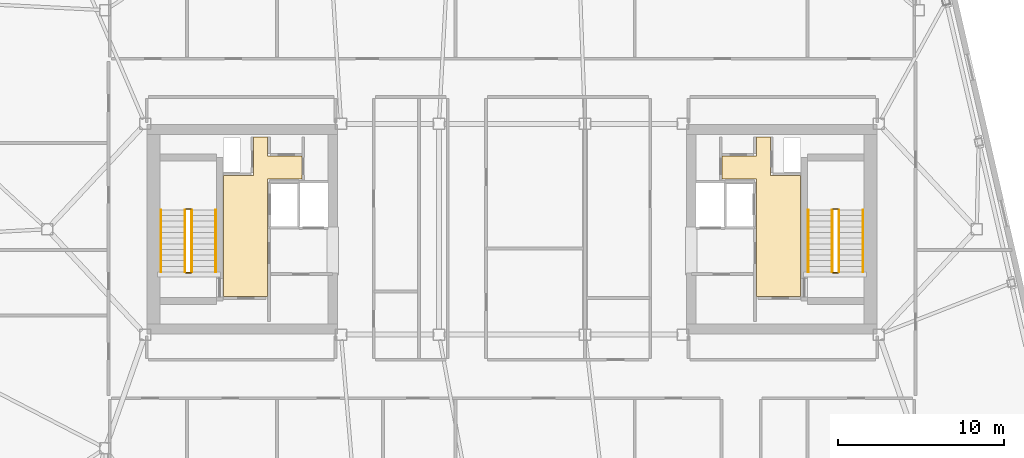
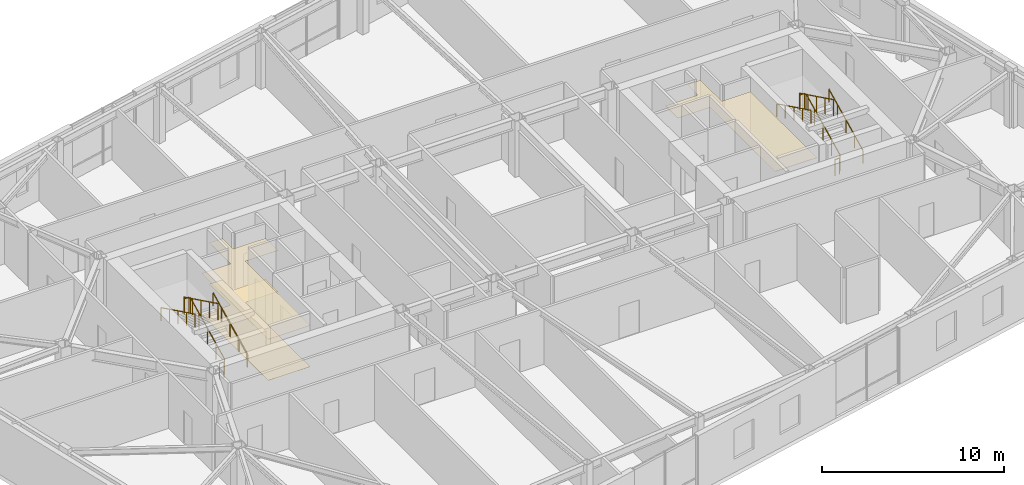
# One storey, part 23 of 23: 12 railings, 3 coverings.
"""IFC4 building model written with IfcOpenShell, lengths in metres."""

import ifcopenshell
import ifcopenshell.guid

model = None  # the IFC model being written
_history = None  # IfcOwnerHistory: only IFC2X3 demands one
_inside = {}  # id of a spatial element -> (the spatial element, [elements in it])
_under = {}  # id of a project, library or spatial element -> (it, [spatial elements below it])
_declared = {}  # id of a project -> (the project, [libraries it declares])
_typed = {}  # id of a type object -> (the type object, [elements of that type])
_made_of = {}  # id of a material, layer set ... -> (it, [elements and type objects made of it])


def new_model(schema):
    """Start an empty IFC model of exactly this schema.

    Asked for "IFC4X3", IfcOpenShell would pick the latest addendum, in which some entities
    have other attributes; the version numbers below select the first issue.
    IFC2X3 requires an IfcOwnerHistory on every rooted entity: one is made here for all.
    """
    global model, _history
    if schema == "IFC4X3":
        model = ifcopenshell.file(schema_version=(4, 3, 0, 0))
    else:
        model = ifcopenshell.file(schema=schema)
    _inside.clear()
    _under.clear()
    _declared.clear()
    _typed.clear()
    _made_of.clear()
    _history = None
    if model.schema == "IFC2X3":
        org = make("IfcOrganization", Name="unknown")
        user = make(
            "IfcPersonAndOrganization",
            ThePerson=make("IfcPerson", FamilyName="unknown"),
            TheOrganization=org,
        )
        app = make(
            "IfcApplication",
            ApplicationDeveloper=org,
            Version="unknown",
            ApplicationFullName="unknown",
            ApplicationIdentifier="unknown",
        )
        _history = make(
            "IfcOwnerHistory",
            OwningUser=user,
            OwningApplication=app,
            ChangeAction="ADDED",
            CreationDate=0,
        )
    return model


def make(cls, **values):
    """One entity of the class cls with the attributes given. An attribute that is None is left unset."""
    return model.create_entity(
        cls, **{name: value for name, value in values.items() if value is not None}
    )


def rooted(cls, **values):
    """An entity with a GlobalId (a new one), such as an element, a storey or a relation."""
    return make(cls, GlobalId=ifcopenshell.guid.new(), OwnerHistory=_history, **values)


def si_unit(unit_type, name, prefix=None):
    """IfcSIUnit, for example si_unit("LENGTHUNIT", "METRE", prefix="MILLI")."""
    return make("IfcSIUnit", UnitType=unit_type, Prefix=prefix, Name=name)


def assignment(units):
    """IfcUnitAssignment: the units of a project."""
    return None if units is None else make("IfcUnitAssignment", Units=units)


def point(xyz):
    """IfcCartesianPoint."""
    return None if xyz is None else make("IfcCartesianPoint", Coordinates=xyz)


def direction(xyz):
    """IfcDirection."""
    return None if xyz is None else make("IfcDirection", DirectionRatios=xyz)


def frame(location, z_axis=None, x_axis=None):
    """IfcAxis2Placement3D, a coordinate frame: its origin and axes. An axis left out is left unset."""
    return make(
        "IfcAxis2Placement3D",
        Location=point(location),
        Axis=direction(z_axis),
        RefDirection=direction(x_axis),
    )


def frame_2d(location, x_axis=None):
    """IfcAxis2Placement2D, a coordinate frame in the plane: its origin and x axis."""
    return make(
        "IfcAxis2Placement2D", Location=point(location), RefDirection=direction(x_axis)
    )


def origin():
    """The frame at (0, 0, 0) with its axes left unset."""
    return frame((0.0, 0.0, 0.0))


def origin_2d():
    """The frame at (0, 0) in the plane with its x axis left unset."""
    return frame_2d((0.0, 0.0))


def place(relative_to, where):
    """IfcLocalPlacement: puts the frame where relative to a parent placement (None: the world)."""
    return make(
        "IfcLocalPlacement", PlacementRelTo=relative_to, RelativePlacement=where
    )


def context(
    kind, dimensions, precision=None, world=None, true_north=None, identifier=None
):
    """IfcGeometricRepresentationContext, for example the 3D "Model" context."""
    return make(
        "IfcGeometricRepresentationContext",
        ContextIdentifier=identifier,
        ContextType=kind,
        CoordinateSpaceDimension=dimensions,
        Precision=precision,
        WorldCoordinateSystem=world,
        TrueNorth=true_north,
    )


def subcontext(parent, identifier, kind, view, scale=None):
    """IfcGeometricRepresentationSubContext, for example "Body" below "Model"."""
    return make(
        "IfcGeometricRepresentationSubContext",
        ContextIdentifier=identifier,
        ContextType=kind,
        ParentContext=parent,
        TargetScale=scale,
        TargetView=view,
    )


def project(units=None, contexts=None):
    """IfcProject with its units and contexts."""
    return rooted(
        "IfcProject",
        Name="project",
        RepresentationContexts=contexts,
        UnitsInContext=assignment(units),
    )


def spatial(cls, under=None, at=None, **own):
    """A site, building, storey or space (cls), placed at a placement, below another one or the project."""
    s = rooted(cls, ObjectPlacement=at, **own)
    if under is not None:
        _under.setdefault(under.id(), (under, []))[1].append(s)
    return s


def polyline(points):
    """IfcPolyline through the points."""
    return make("IfcPolyline", Points=[point(p) for p in points])


def profile(cls, at=None, kind="AREA", **sizes):
    """A parametric profile (cls). Its sizes go by their IFC names, for example OverallWidth=200.0."""
    return make(cls, ProfileType=kind, Position=at, **sizes)


def rectangle(**sizes):
    """IfcRectangleProfileDef."""
    return profile("IfcRectangleProfileDef", **sizes)


def outline(outer, holes=None, kind="AREA"):
    """IfcArbitraryClosedProfileDef: a profile drawn as a closed curve; with holes, ...WithVoids."""
    if holes is None:
        return make("IfcArbitraryClosedProfileDef", ProfileType=kind, OuterCurve=outer)
    return make(
        "IfcArbitraryProfileDefWithVoids",
        ProfileType=kind,
        OuterCurve=outer,
        InnerCurves=holes,
    )


def extrude(swept, where, along, depth):
    """IfcExtrudedAreaSolid: the profile swept, set in the frame where, extruded along a direction by depth."""
    return make(
        "IfcExtrudedAreaSolid",
        SweptArea=swept,
        Position=where,
        ExtrudedDirection=direction(along),
        Depth=depth,
    )


def shape(context_of_items, identifier, shape_type, items):
    """IfcShapeRepresentation: the items that make up one representation, for example the "Body"."""
    return make(
        "IfcShapeRepresentation",
        ContextOfItems=context_of_items,
        RepresentationIdentifier=identifier,
        RepresentationType=shape_type,
        Items=items,
    )


def material(Name=None, Category=None):
    """IfcMaterial."""
    return make("IfcMaterial", Name=Name, Category=Category)


def layer(
    of_material, thickness, ventilated=None, Name=None, Category=None, Priority=None
):
    """IfcMaterialLayer: one layer of a wall or slab, of a material (None: an air gap)."""
    return make(
        "IfcMaterialLayer",
        Material=of_material,
        LayerThickness=thickness,
        IsVentilated=ventilated,
        Name=Name,
        Category=Category,
        Priority=Priority,
    )


def layer_set(layers, Name=None):
    """IfcMaterialLayerSet."""
    return make("IfcMaterialLayerSet", MaterialLayers=layers, LayerSetName=Name)


def made_of(thing, what):
    """Note that an element or type object is made of a material, layer set ...; save() writes the relation."""
    if what is not None:
        _made_of.setdefault(what.id(), (what, []))[1].append(thing)
    return thing


def type_object(cls, material=None, **own):
    """A type object (cls), such as IfcWallType, which elements share."""
    return made_of(rooted(cls, **own), material)


def element(
    cls,
    number,
    at=None,
    inside=None,
    cuts=None,
    type_object=None,
    material=None,
    context=None,
    identifier="Body",
    shape_type=None,
    held_by="IfcProductDefinitionShape",
    body=None,
    shapes=None,
    **own,
):
    """One element of the class cls, such as IfcWall. Its Tag is "e" and its number.

    at: its placement. inside: the storey or other place that contains it. cuts: it is an
    opening in that element (IfcRelVoidsElement). A single representation is given by context,
    identifier, shape_type and body (its items); several are given by shapes. held_by: the class
    of the entity that holds the representations. save() writes the other relations.
    """
    e = rooted(cls, Tag="e%d" % number, ObjectPlacement=at, **own)
    if body is not None:
        shapes = [shape(context, identifier, shape_type, body)]
    if shapes is not None:
        e.Representation = make(held_by, Representations=shapes)
    if inside is not None:
        _inside.setdefault(inside.id(), (inside, []))[1].append(e)
    if cuts is not None:
        rooted(
            "IfcRelVoidsElement", RelatingBuildingElement=cuts, RelatedOpeningElement=e
        )
    if type_object is not None:
        _typed.setdefault(type_object.id(), (type_object, []))[1].append(e)
    return made_of(e, material)


def aggregate(whole, parts):
    """IfcRelAggregates: a whole, such as a stair, and the parts it consists of."""
    return rooted("IfcRelAggregates", RelatingObject=whole, RelatedObjects=parts)


def save(model, path):
    """Write the relations noted so far, then the file.

    IfcRelAggregates (storeys below a building ...), IfcRelContainedInSpatialStructure (elements
    in a storey), IfcRelDefinesByType, IfcRelAssociatesMaterial and IfcRelDeclares: one each for
    every whole, place, type object, material and project.
    """
    for whole, parts in _under.values():
        aggregate(whole, parts)
    for where, things in _inside.values():
        rooted(
            "IfcRelContainedInSpatialStructure",
            RelatedElements=things,
            RelatingStructure=where,
        )
    for kind, things in _typed.values():
        rooted("IfcRelDefinesByType", RelatedObjects=things, RelatingType=kind)
    for what, things in _made_of.values():
        rooted("IfcRelAssociatesMaterial", RelatedObjects=things, RelatingMaterial=what)
    for by, libraries in _declared.values():
        rooted("IfcRelDeclares", RelatingContext=by, RelatedDefinitions=libraries)
    model.write(path)


model = new_model("IFC4")

# Units and contexts
model_context = context("Model", 3, precision=1e-05, world=origin(), true_north=direction((0.0, 1.0)))
body_context = subcontext(model_context, "Body", "Model", "MODEL_VIEW")
ifc_project = project(units=[si_unit("LENGTHUNIT", "METRE"), si_unit("AREAUNIT", "SQUARE_METRE"), si_unit("VOLUMEUNIT", "CUBIC_METRE"), si_unit("PLANEANGLEUNIT", "RADIAN"), si_unit("MASSUNIT", "GRAM", prefix="KILO")], contexts=[model_context])

# Site, building, storey
site_placement = place(None, origin())
site = spatial("IfcSite", under=ifc_project, at=site_placement, CompositionType="ELEMENT")
building_placement = place(site_placement, origin())
building = spatial("IfcBuilding", under=site, at=building_placement, Name="Tavrogorsk Clinical Tower", CompositionType="ELEMENT")
storey_placement = place(building_placement, frame((0.0, 0.0, 301.0)))
storey = spatial("IfcBuildingStorey", under=building, at=storey_placement, Name="L70", CompositionType="ELEMENT", Elevation=301.0)

# Coverings
ifc_material_1 = material(Name="Antibacterial micro-perforated aluminium ceiling", Category="aluminium")
ifc_layer_1 = layer(ifc_material_1, 0.014892578125)
ifc_layer_set_1 = layer_set([ifc_layer_1], Name="Antibacterial micro-perforated aluminium ceiling")
covering_type_1 = type_object("IfcCoveringType", Name="ClinicalCeiling_15", PredefinedType="CEILING", material=ifc_layer_set_1)
covering_1_placement = place(storey_placement, frame((0.0, 0.0, 2.75)))
element("IfcCovering", 1, at=covering_1_placement, inside=storey, type_object=covering_type_1, Name="Core West Firefighting Lift Lobby Acoustic Ceiling", PredefinedType="CEILING", context=body_context, shape_type="SweptSolid", body=[
    extrude(outline(polyline([(-17.3798828125, -4.06005859375), (-17.3798828125, 3.239990234375), (-15.56005859375, 3.239990234375), (-15.56005859375, 5.56005859375), (-14.719970703125, 5.56005859375), (-14.719970703125, 4.39990234375), (-12.659912109375, 4.39990234375), (-12.659912109375, 3.0400390625), (-14.719970703125, 3.0400390625), (-14.719970703125, -4.06005859375), (-17.3798828125, -4.06005859375)])), origin(), (0.0, 0.0, 1.0), 0.014892578125),
])
covering_2_placement = place(storey_placement, frame((0.0, 0.0, 2.75)))
element("IfcCovering", 2, at=covering_2_placement, inside=storey, type_object=covering_type_1, Name="Core East Firefighting Lift Lobby Acoustic Ceiling", PredefinedType="CEILING", context=body_context, shape_type="SweptSolid", body=[
    extrude(outline(polyline([(14.719970703125, 3.0400390625), (12.659912109375, 3.0400390625), (12.659912109375, 4.39990234375), (14.719970703125, 4.39990234375), (14.719970703125, 5.56005859375), (15.56005859375, 5.56005859375), (15.56005859375, 3.239990234375), (17.3798828125, 3.239990234375), (17.3798828125, -4.06005859375), (14.719970703125, -4.06005859375), (14.719970703125, 3.0400390625)])), origin(), (0.0, 0.0, 1.0), 0.014892578125),
])
ifc_material_2 = material(Name="Homogeneous medical conductive PVC flooring")
ifc_layer_2 = layer(ifc_material_2, 0.008056640625)
ifc_layer_set_2 = layer_set([ifc_layer_2], Name="Homogeneous medical conductive PVC flooring")
covering_type_2 = type_object("IfcCoveringType", Name="ResilientVinylFloor_8", PredefinedType="FLOORING", material=ifc_layer_set_2)
covering_3_placement = place(storey_placement, origin())
element("IfcCovering", 3, at=covering_3_placement, inside=storey, type_object=covering_type_2, Name="Core West Firefighting Lift Lobby Conductive Vinyl Flooring", PredefinedType="FLOORING", context=body_context, shape_type="SweptSolid", body=[
    extrude(outline(polyline([(-17.3798828125, -4.06005859375), (-17.3798828125, 3.239990234375), (-15.56005859375, 3.239990234375), (-15.56005859375, 5.56005859375), (-14.719970703125, 5.56005859375), (-14.719970703125, 4.39990234375), (-12.659912109375, 4.39990234375), (-12.659912109375, 3.0400390625), (-14.719970703125, 3.0400390625), (-14.719970703125, -4.06005859375), (-17.3798828125, -4.06005859375)])), origin(), (0.0, 0.0, 1.0), 0.008056640625),
])

# Railings
ifc_material_3 = material(Name="Galvanised steel S355 safety stairwell guard", Category="steel")
ifc_layer_3 = layer(ifc_material_3, 0.06005859375)
ifc_layer_set_3 = layer_set([ifc_layer_3], Name="Galvanised steel S355 safety stairwell guard")
railing_type_1 = type_object("IfcRailingType", Name="StairGuard_1150", PredefinedType="GUARDRAIL", material=ifc_layer_set_3)
railing_1_placement = place(storey_placement, frame((-19.300048828125, -2.574951171875, 0.166748046875)))
element("IfcRailing", 4, at=railing_1_placement, inside=storey, type_object=railing_type_1, Name="L70 ST-W stair guard 1", PredefinedType="GUARDRAIL", context=body_context, shape_type="SweptSolid", body=[
    extrude(rectangle(XDim=0.048095703125, YDim=0.048095703125, at=origin_2d()), frame((0.0, 0.0, 1.076171875), z_axis=(0.0, 0.897927990467, 0.440142390523), x_axis=(-1.0, 0.0, 0.0)), (0.0, 0.0, 1.0), 4.1650390625),
    extrude(rectangle(XDim=0.0419921875, YDim=0.0419921875, at=origin_2d()), origin(), (0.0, 0.0, 1.0), 1.052001953125),
    extrude(rectangle(XDim=0.0419921875, YDim=0.0419921875, at=origin_2d()), frame((0.0, 0.93505859375, 0.458251953125)), (0.0, 0.0, 1.0), 1.052001953125),
    extrude(rectangle(XDim=0.0419921875, YDim=0.0419921875, at=origin_2d()), frame((0.0, 1.8701171875, 0.91650390625)), (0.0, 0.0, 1.0), 1.052001953125),
    extrude(rectangle(XDim=0.0419921875, YDim=0.0419921875, at=origin_2d()), frame((0.0, 2.804931640625, 1.375)), (0.0, 0.0, 1.0), 1.052001953125),
    extrude(rectangle(XDim=0.0419921875, YDim=0.0419921875, at=origin_2d()), frame((0.0, 3.739990234375, 1.833251953125)), (0.0, 0.0, 1.0), 1.052001953125),
])
railing_2_placement = place(storey_placement, frame((-19.35009765625, 1.215087890625, 2.0)))
element("IfcRailing", 5, at=railing_2_placement, inside=storey, type_object=railing_type_1, Name="L70 ST-W stair guard 2", PredefinedType="GUARDRAIL", context=body_context, shape_type="SweptSolid", body=[
    extrude(rectangle(XDim=0.048095703125, YDim=0.048095703125, at=origin_2d()), frame((0.0, 0.0, 1.076171875), z_axis=(-1.0, 0.0, 0.0), x_axis=(0.0, -1.0, 0.0)), (0.0, 0.0, 1.0), 0.2998046875),
    extrude(rectangle(XDim=0.0419921875, YDim=0.0419921875, at=origin_2d()), origin(), (0.0, 0.0, 1.0), 1.052001953125),
    extrude(rectangle(XDim=0.0419921875, YDim=0.0419921875, at=origin_2d()), frame((-0.2998046875, 0.0, 0.0)), (0.0, 0.0, 1.0), 1.052001953125),
])
railing_3_placement = place(storey_placement, frame((-19.699951171875, 1.1650390625, 2.166748046875)))
element("IfcRailing", 6, at=railing_3_placement, inside=storey, type_object=railing_type_1, Name="L70 ST-W stair guard 3", PredefinedType="GUARDRAIL", context=body_context, shape_type="SweptSolid", body=[
    extrude(rectangle(XDim=0.048095703125, YDim=0.048095703125, at=origin_2d()), frame((0.0, 0.0, 1.076171875), z_axis=(0.0, -0.897927990467, 0.440142390523), x_axis=(1.0, 0.0, 0.0)), (0.0, 0.0, 1.0), 4.1650390625),
    extrude(rectangle(XDim=0.0419921875, YDim=0.0419921875, at=origin_2d()), origin(), (0.0, 0.0, 1.0), 1.052001953125),
    extrude(rectangle(XDim=0.0419921875, YDim=0.0419921875, at=origin_2d()), frame((0.0, -0.93505859375, 0.458251953125)), (0.0, 0.0, 1.0), 1.052001953125),
    extrude(rectangle(XDim=0.0419921875, YDim=0.0419921875, at=origin_2d()), frame((0.0, -1.8701171875, 0.91650390625)), (0.0, 0.0, 1.0), 1.052001953125),
    extrude(rectangle(XDim=0.0419921875, YDim=0.0419921875, at=origin_2d()), frame((0.0, -2.804931640625, 1.375)), (0.0, 0.0, 1.0), 1.052001953125),
    extrude(rectangle(XDim=0.0419921875, YDim=0.0419921875, at=origin_2d()), frame((0.0, -3.739990234375, 1.833251953125)), (0.0, 0.0, 1.0), 1.052001953125),
])
railing_4_placement = place(storey_placement, frame((-19.35009765625, -2.625, 0.0)))
element("IfcRailing", 7, at=railing_4_placement, inside=storey, type_object=railing_type_1, Name="L70 ST-W stair guard 4", PredefinedType="GUARDRAIL", context=body_context, shape_type="SweptSolid", body=[
    extrude(rectangle(XDim=0.048095703125, YDim=0.048095703125, at=origin_2d()), frame((0.0, 0.0, 1.076171875), z_axis=(-1.0, 0.0, 0.0), x_axis=(0.0, -1.0, 0.0)), (0.0, 0.0, 1.0), 0.2998046875),
    extrude(rectangle(XDim=0.0419921875, YDim=0.0419921875, at=origin_2d()), origin(), (0.0, 0.0, 1.0), 1.052001953125),
    extrude(rectangle(XDim=0.0419921875, YDim=0.0419921875, at=origin_2d()), frame((-0.2998046875, 0.0, 0.0)), (0.0, 0.0, 1.0), 1.052001953125),
])
railing_5_placement = place(storey_placement, frame((19.699951171875, -2.574951171875, 0.166748046875)))
element("IfcRailing", 8, at=railing_5_placement, inside=storey, type_object=railing_type_1, Name="L70 ST-E stair guard 1", PredefinedType="GUARDRAIL", context=body_context, shape_type="SweptSolid", body=[
    extrude(rectangle(XDim=0.048095703125, YDim=0.048095703125, at=origin_2d()), frame((0.0, 0.0, 1.076171875), z_axis=(0.0, 0.897927990467, 0.440142390523), x_axis=(-1.0, 0.0, 0.0)), (0.0, 0.0, 1.0), 4.1650390625),
    extrude(rectangle(XDim=0.0419921875, YDim=0.0419921875, at=origin_2d()), origin(), (0.0, 0.0, 1.0), 1.052001953125),
    extrude(rectangle(XDim=0.0419921875, YDim=0.0419921875, at=origin_2d()), frame((0.0, 0.93505859375, 0.458251953125)), (0.0, 0.0, 1.0), 1.052001953125),
    extrude(rectangle(XDim=0.0419921875, YDim=0.0419921875, at=origin_2d()), frame((0.0, 1.8701171875, 0.91650390625)), (0.0, 0.0, 1.0), 1.052001953125),
    extrude(rectangle(XDim=0.0419921875, YDim=0.0419921875, at=origin_2d()), frame((0.0, 2.804931640625, 1.375)), (0.0, 0.0, 1.0), 1.052001953125),
    extrude(rectangle(XDim=0.0419921875, YDim=0.0419921875, at=origin_2d()), frame((0.0, 3.739990234375, 1.833251953125)), (0.0, 0.0, 1.0), 1.052001953125),
])
railing_6_placement = place(storey_placement, frame((19.64990234375, 1.215087890625, 2.0)))
element("IfcRailing", 9, at=railing_6_placement, inside=storey, type_object=railing_type_1, Name="L70 ST-E stair guard 2", PredefinedType="GUARDRAIL", context=body_context, shape_type="SweptSolid", body=[
    extrude(rectangle(XDim=0.048095703125, YDim=0.048095703125, at=origin_2d()), frame((0.0, 0.0, 1.076171875), z_axis=(-1.0, 0.0, 0.0), x_axis=(0.0, -1.0, 0.0)), (0.0, 0.0, 1.0), 0.2998046875),
    extrude(rectangle(XDim=0.0419921875, YDim=0.0419921875, at=origin_2d()), origin(), (0.0, 0.0, 1.0), 1.052001953125),
    extrude(rectangle(XDim=0.0419921875, YDim=0.0419921875, at=origin_2d()), frame((-0.2998046875, 0.0, 0.0)), (0.0, 0.0, 1.0), 1.052001953125),
])
railing_7_placement = place(storey_placement, frame((19.300048828125, 1.1650390625, 2.166748046875)))
element("IfcRailing", 10, at=railing_7_placement, inside=storey, type_object=railing_type_1, Name="L70 ST-E stair guard 3", PredefinedType="GUARDRAIL", context=body_context, shape_type="SweptSolid", body=[
    extrude(rectangle(XDim=0.048095703125, YDim=0.048095703125, at=origin_2d()), frame((0.0, 0.0, 1.076171875), z_axis=(0.0, -0.897927990467, 0.440142390523), x_axis=(1.0, 0.0, 0.0)), (0.0, 0.0, 1.0), 4.1650390625),
    extrude(rectangle(XDim=0.0419921875, YDim=0.0419921875, at=origin_2d()), origin(), (0.0, 0.0, 1.0), 1.052001953125),
    extrude(rectangle(XDim=0.0419921875, YDim=0.0419921875, at=origin_2d()), frame((0.0, -0.93505859375, 0.458251953125)), (0.0, 0.0, 1.0), 1.052001953125),
    extrude(rectangle(XDim=0.0419921875, YDim=0.0419921875, at=origin_2d()), frame((0.0, -1.8701171875, 0.91650390625)), (0.0, 0.0, 1.0), 1.052001953125),
    extrude(rectangle(XDim=0.0419921875, YDim=0.0419921875, at=origin_2d()), frame((0.0, -2.804931640625, 1.375)), (0.0, 0.0, 1.0), 1.052001953125),
    extrude(rectangle(XDim=0.0419921875, YDim=0.0419921875, at=origin_2d()), frame((0.0, -3.739990234375, 1.833251953125)), (0.0, 0.0, 1.0), 1.052001953125),
])
railing_8_placement = place(storey_placement, frame((19.64990234375, -2.625, 0.0)))
element("IfcRailing", 11, at=railing_8_placement, inside=storey, type_object=railing_type_1, Name="L70 ST-E stair guard 4", PredefinedType="GUARDRAIL", context=body_context, shape_type="SweptSolid", body=[
    extrude(rectangle(XDim=0.048095703125, YDim=0.048095703125, at=origin_2d()), frame((0.0, 0.0, 1.076171875), z_axis=(-1.0, 0.0, 0.0), x_axis=(0.0, -1.0, 0.0)), (0.0, 0.0, 1.0), 0.2998046875),
    extrude(rectangle(XDim=0.0419921875, YDim=0.0419921875, at=origin_2d()), origin(), (0.0, 0.0, 1.0), 1.052001953125),
    extrude(rectangle(XDim=0.0419921875, YDim=0.0419921875, at=origin_2d()), frame((-0.2998046875, 0.0, 0.0)), (0.0, 0.0, 1.0), 1.052001953125),
])
ifc_material_4 = material(Name="Stainless steel AISI 304 tubular handrail", Category="steel")
ifc_layer_4 = layer(ifc_material_4, 0.050048828125)
ifc_layer_set_4 = layer_set([ifc_layer_4], Name="Stainless steel AISI 304 tubular handrail")
railing_type_2 = type_object("IfcRailingType", Name="StairHandrail_920", PredefinedType="HANDRAIL", material=ifc_layer_set_4)
railing_9_placement = place(storey_placement, frame((-17.85009765625, -2.574951171875, 0.166748046875)))
element("IfcRailing", 12, at=railing_9_placement, inside=storey, type_object=railing_type_2, Name="L70 ST-W stair handrail 1", PredefinedType="HANDRAIL", context=body_context, shape_type="SweptSolid", body=[
    extrude(rectangle(XDim=0.048095703125, YDim=0.048095703125, at=origin_2d()), frame((0.0, 0.0, 0.8759765625), z_axis=(0.0, 0.897927990467, 0.440142390523), x_axis=(-1.0, 0.0, 0.0)), (0.0, 0.0, 1.0), 4.1650390625),
    extrude(rectangle(XDim=0.0419921875, YDim=0.0419921875, at=origin_2d()), origin(), (0.0, 0.0, 1.0), 0.851806640625),
    extrude(rectangle(XDim=0.0419921875, YDim=0.0419921875, at=origin_2d()), frame((0.0, 0.93505859375, 0.458251953125)), (0.0, 0.0, 1.0), 0.851806640625),
    extrude(rectangle(XDim=0.0419921875, YDim=0.0419921875, at=origin_2d()), frame((0.0, 1.8701171875, 0.91650390625)), (0.0, 0.0, 1.0), 0.851806640625),
    extrude(rectangle(XDim=0.0419921875, YDim=0.0419921875, at=origin_2d()), frame((0.0, 2.804931640625, 1.375)), (0.0, 0.0, 1.0), 0.851806640625),
    extrude(rectangle(XDim=0.0419921875, YDim=0.0419921875, at=origin_2d()), frame((0.0, 3.739990234375, 1.833251953125)), (0.0, 0.0, 1.0), 0.851806640625),
])
railing_10_placement = place(storey_placement, frame((-21.14990234375, 1.1650390625, 2.166748046875)))
element("IfcRailing", 13, at=railing_10_placement, inside=storey, type_object=railing_type_2, Name="L70 ST-W stair handrail 2", PredefinedType="HANDRAIL", context=body_context, shape_type="SweptSolid", body=[
    extrude(rectangle(XDim=0.048095703125, YDim=0.048095703125, at=origin_2d()), frame((0.0, 0.0, 0.8759765625), z_axis=(0.0, -0.897927990467, 0.440142390523), x_axis=(1.0, 0.0, 0.0)), (0.0, 0.0, 1.0), 4.1650390625),
    extrude(rectangle(XDim=0.0419921875, YDim=0.0419921875, at=origin_2d()), origin(), (0.0, 0.0, 1.0), 0.851806640625),
    extrude(rectangle(XDim=0.0419921875, YDim=0.0419921875, at=origin_2d()), frame((0.0, -0.93505859375, 0.458251953125)), (0.0, 0.0, 1.0), 0.851806640625),
    extrude(rectangle(XDim=0.0419921875, YDim=0.0419921875, at=origin_2d()), frame((0.0, -1.8701171875, 0.91650390625)), (0.0, 0.0, 1.0), 0.851806640625),
    extrude(rectangle(XDim=0.0419921875, YDim=0.0419921875, at=origin_2d()), frame((0.0, -2.804931640625, 1.375)), (0.0, 0.0, 1.0), 0.851806640625),
    extrude(rectangle(XDim=0.0419921875, YDim=0.0419921875, at=origin_2d()), frame((0.0, -3.739990234375, 1.833251953125)), (0.0, 0.0, 1.0), 0.851806640625),
])
railing_11_placement = place(storey_placement, frame((21.14990234375, -2.574951171875, 0.166748046875)))
element("IfcRailing", 14, at=railing_11_placement, inside=storey, type_object=railing_type_2, Name="L70 ST-E stair handrail 1", PredefinedType="HANDRAIL", context=body_context, shape_type="SweptSolid", body=[
    extrude(rectangle(XDim=0.048095703125, YDim=0.048095703125, at=origin_2d()), frame((0.0, 0.0, 0.8759765625), z_axis=(0.0, 0.897927990467, 0.440142390523), x_axis=(-1.0, 0.0, 0.0)), (0.0, 0.0, 1.0), 4.1650390625),
    extrude(rectangle(XDim=0.0419921875, YDim=0.0419921875, at=origin_2d()), origin(), (0.0, 0.0, 1.0), 0.851806640625),
    extrude(rectangle(XDim=0.0419921875, YDim=0.0419921875, at=origin_2d()), frame((0.0, 0.93505859375, 0.458251953125)), (0.0, 0.0, 1.0), 0.851806640625),
    extrude(rectangle(XDim=0.0419921875, YDim=0.0419921875, at=origin_2d()), frame((0.0, 1.8701171875, 0.91650390625)), (0.0, 0.0, 1.0), 0.851806640625),
    extrude(rectangle(XDim=0.0419921875, YDim=0.0419921875, at=origin_2d()), frame((0.0, 2.804931640625, 1.375)), (0.0, 0.0, 1.0), 0.851806640625),
    extrude(rectangle(XDim=0.0419921875, YDim=0.0419921875, at=origin_2d()), frame((0.0, 3.739990234375, 1.833251953125)), (0.0, 0.0, 1.0), 0.851806640625),
])
railing_12_placement = place(storey_placement, frame((17.85009765625, 1.1650390625, 2.166748046875)))
element("IfcRailing", 15, at=railing_12_placement, inside=storey, type_object=railing_type_2, Name="L70 ST-E stair handrail 2", PredefinedType="HANDRAIL", context=body_context, shape_type="SweptSolid", body=[
    extrude(rectangle(XDim=0.048095703125, YDim=0.048095703125, at=origin_2d()), frame((0.0, 0.0, 0.8759765625), z_axis=(0.0, -0.897927990467, 0.440142390523), x_axis=(1.0, 0.0, 0.0)), (0.0, 0.0, 1.0), 4.1650390625),
    extrude(rectangle(XDim=0.0419921875, YDim=0.0419921875, at=origin_2d()), origin(), (0.0, 0.0, 1.0), 0.851806640625),
    extrude(rectangle(XDim=0.0419921875, YDim=0.0419921875, at=origin_2d()), frame((0.0, -0.93505859375, 0.458251953125)), (0.0, 0.0, 1.0), 0.851806640625),
    extrude(rectangle(XDim=0.0419921875, YDim=0.0419921875, at=origin_2d()), frame((0.0, -1.8701171875, 0.91650390625)), (0.0, 0.0, 1.0), 0.851806640625),
    extrude(rectangle(XDim=0.0419921875, YDim=0.0419921875, at=origin_2d()), frame((0.0, -2.804931640625, 1.375)), (0.0, 0.0, 1.0), 0.851806640625),
    extrude(rectangle(XDim=0.0419921875, YDim=0.0419921875, at=origin_2d()), frame((0.0, -3.739990234375, 1.833251953125)), (0.0, 0.0, 1.0), 0.851806640625),
])

save(model, "model.ifc")
